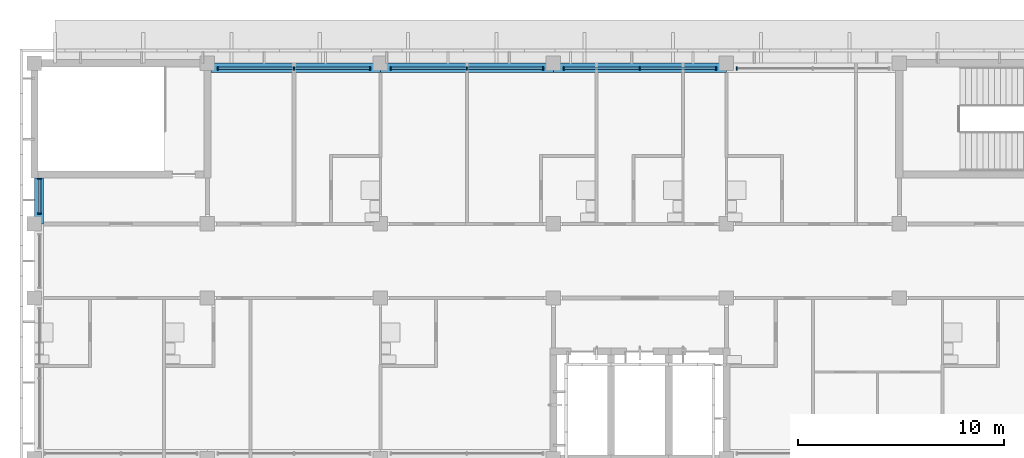
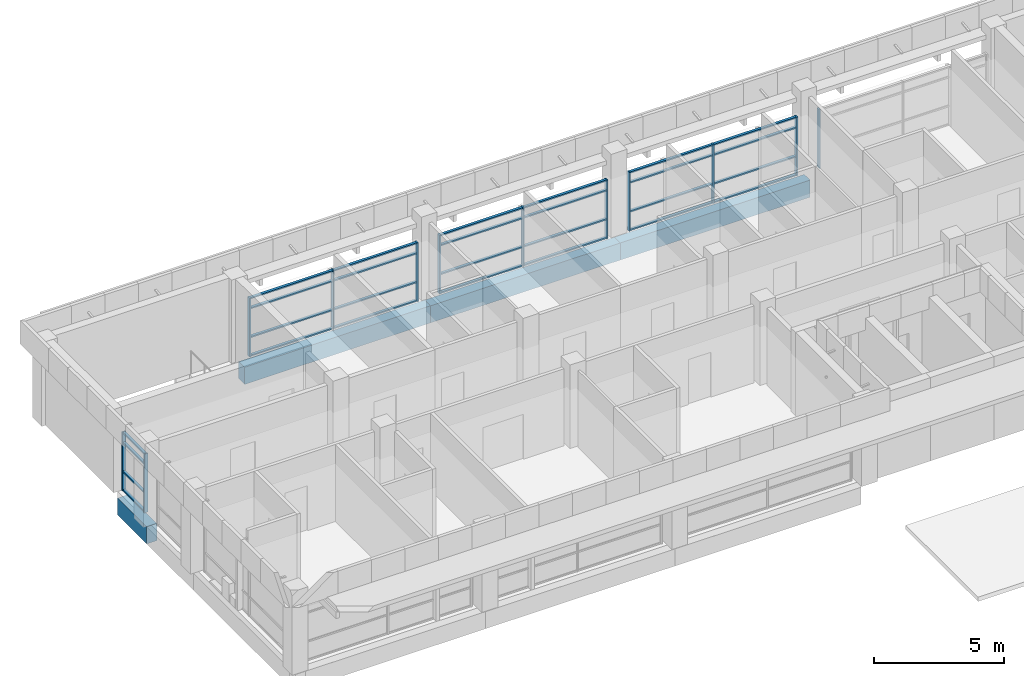
# One storey, part 4 of 36: 40 members, 4 beams, 5 elements without a shape of their own.
"""IFC4 building model written with IfcOpenShell, lengths in metres."""

from ifc_helpers import new_model, si_unit, direction, frame, origin, origin_2d, place, context, subcontext, project, spatial, rectangle, extrude, material, material_profile, profile_set, type_object, element, aggregate, save


model = new_model("IFC4")

# Units and contexts
model_context = context("Model", 3, precision=1e-05, world=origin(), true_north=direction((0.0, 1.0)))
body_context = subcontext(model_context, "Body", "Model", "MODEL_VIEW")
ifc_project = project(units=[si_unit("LENGTHUNIT", "METRE"), si_unit("AREAUNIT", "SQUARE_METRE"), si_unit("VOLUMEUNIT", "CUBIC_METRE"), si_unit("PLANEANGLEUNIT", "RADIAN"), si_unit("MASSUNIT", "GRAM", prefix="KILO")], contexts=[model_context])

# Site, building, storey
site_placement = place(None, origin())
site = spatial("IfcSite", under=ifc_project, at=site_placement, CompositionType="ELEMENT")
building_placement = place(site_placement, origin())
building = spatial("IfcBuilding", under=site, at=building_placement, Name="Bougainvillea Quay General Hospital", CompositionType="ELEMENT")
storey_placement = place(building_placement, frame((0.0, 0.0, 32.699951171875)))
storey = spatial("IfcBuildingStorey", under=building, at=storey_placement, Name="L07", CompositionType="ELEMENT", Elevation=32.699951171875)

# Curtain wall, member
ifc_material_1 = material(Name="Aluminium curtain wall system, powder-coated glazed", Category="aluminium")
curtain_wall_type_1 = type_object("IfcCurtainWallType", Name="Unitised curtain wall CW-3730", PredefinedType="NOTDEFINED", material=ifc_material_1)
curtain_wall_1_placement = place(storey_placement, origin())
curtain_wall_1 = element("IfcCurtainWall", 1, at=curtain_wall_1_placement, inside=storey, type_object=curtain_wall_type_1, Name="CW-4200 08", PredefinedType="NOTDEFINED")
ifc_material_2 = material(Name="Aluminium mullion, powder-coated charcoal", Category="aluminium")
ifc_material_profile_1 = material_profile(ifc_material_2, rectangle(XDim=0.159912109375, YDim=0.06005859375, at=origin_2d()))
ifc_profile_set_1 = profile_set([ifc_material_profile_1], Name="Aluminium mullion, powder-coated charcoal")
member_type_1 = type_object("IfcMemberType", Name="Curtain wall mullion 160x60", PredefinedType="MULLION", material=ifc_profile_set_1)
member_1_placement = place(storey_placement, frame((76.10009765625, 159.35009765625, 0.0), z_axis=(0.0, 0.0, 1.0), x_axis=(0.0, -1.0, 0.0)))
member_1 = element("IfcMember", 2, at=member_1_placement, type_object=member_type_1, Name="CW-4200 mullion 3", PredefinedType="MULLION", context=body_context, shape_type="SweptSolid", body=[
    extrude(rectangle(XDim=0.159912109375, YDim=0.06005859375, at=origin_2d()), origin(), (0.0, 0.0, 1.0), 2.75),
])
aggregate(curtain_wall_1, [member_1])

# Curtain wall, members
curtain_wall_2_placement = place(storey_placement, origin())
curtain_wall_2 = element("IfcCurtainWall", 3, at=curtain_wall_2_placement, inside=storey, type_object=curtain_wall_type_1, Name="CW-4200 09", PredefinedType="NOTDEFINED")
member_2_placement = place(storey_placement, frame((75.10009765625, 159.35009765625, 0.0), z_axis=(0.0, 0.0, 1.0), x_axis=(0.0, -1.0, 0.0)))
member_2 = element("IfcMember", 4, at=member_2_placement, type_object=member_type_1, Name="CW-4200 mullion 1", PredefinedType="MULLION", context=body_context, shape_type="SweptSolid", body=[
    extrude(rectangle(XDim=0.159912109375, YDim=0.06005859375, at=origin_2d()), origin(), (0.0, 0.0, 1.0), 2.75),
])
member_3_placement = place(storey_placement, frame((71.39990234375, 159.35009765625, 0.0), z_axis=(0.0, 0.0, 1.0), x_axis=(0.0, -1.0, 0.0)))
member_3 = element("IfcMember", 5, at=member_3_placement, type_object=member_type_1, Name="CW-4200 mullion 2", PredefinedType="MULLION", context=body_context, shape_type="SweptSolid", body=[
    extrude(rectangle(XDim=0.159912109375, YDim=0.06005859375, at=origin_2d()), origin(), (0.0, 0.0, 1.0), 2.75),
])
member_4_placement = place(storey_placement, frame((67.699951171875, 159.35009765625, 0.0), z_axis=(0.0, 0.0, 1.0), x_axis=(0.0, -1.0, 0.0)))
member_4 = element("IfcMember", 6, at=member_4_placement, type_object=member_type_1, Name="CW-4200 mullion 3", PredefinedType="MULLION", context=body_context, shape_type="SweptSolid", body=[
    extrude(rectangle(XDim=0.159912109375, YDim=0.06005859375, at=origin_2d()), origin(), (0.0, 0.0, 1.0), 2.75),
])

curtain_wall_3_placement = place(storey_placement, origin())
curtain_wall_3 = element("IfcCurtainWall", 7, at=curtain_wall_3_placement, inside=storey, type_object=curtain_wall_type_1, Name="CW-4200 10", PredefinedType="NOTDEFINED")
member_5_placement = place(storey_placement, frame((66.699951171875, 159.35009765625, 0.0), z_axis=(0.0, 0.0, 1.0), x_axis=(0.0, -1.0, 0.0)))
member_5 = element("IfcMember", 8, at=member_5_placement, type_object=member_type_1, Name="CW-4200 mullion 1", PredefinedType="MULLION", context=body_context, shape_type="SweptSolid", body=[
    extrude(rectangle(XDim=0.159912109375, YDim=0.06005859375, at=origin_2d()), origin(), (0.0, 0.0, 1.0), 2.75),
])
member_6_placement = place(storey_placement, frame((63.0, 159.35009765625, 0.0), z_axis=(0.0, 0.0, 1.0), x_axis=(0.0, -1.0, 0.0)))
member_6 = element("IfcMember", 9, at=member_6_placement, type_object=member_type_1, Name="CW-4200 mullion 2", PredefinedType="MULLION", context=body_context, shape_type="SweptSolid", body=[
    extrude(rectangle(XDim=0.159912109375, YDim=0.06005859375, at=origin_2d()), origin(), (0.0, 0.0, 1.0), 2.75),
])
member_7_placement = place(storey_placement, frame((59.300048828125, 159.35009765625, 0.0), z_axis=(0.0, 0.0, 1.0), x_axis=(0.0, -1.0, 0.0)))
member_7 = element("IfcMember", 10, at=member_7_placement, type_object=member_type_1, Name="CW-4200 mullion 3", PredefinedType="MULLION", context=body_context, shape_type="SweptSolid", body=[
    extrude(rectangle(XDim=0.159912109375, YDim=0.06005859375, at=origin_2d()), origin(), (0.0, 0.0, 1.0), 2.75),
])

curtain_wall_4_placement = place(storey_placement, origin())
curtain_wall_4 = element("IfcCurtainWall", 11, at=curtain_wall_4_placement, inside=storey, type_object=curtain_wall_type_1, Name="CW-4200 11", PredefinedType="NOTDEFINED")
member_8_placement = place(storey_placement, frame((58.300048828125, 159.35009765625, 0.0), z_axis=(0.0, 0.0, 1.0), x_axis=(0.0, -1.0, 0.0)))
member_8 = element("IfcMember", 12, at=member_8_placement, type_object=member_type_1, Name="CW-4200 mullion 1", PredefinedType="MULLION", context=body_context, shape_type="SweptSolid", body=[
    extrude(rectangle(XDim=0.159912109375, YDim=0.06005859375, at=origin_2d()), origin(), (0.0, 0.0, 1.0), 2.75),
])
member_9_placement = place(storey_placement, frame((54.60009765625, 159.35009765625, 0.0), z_axis=(0.0, 0.0, 1.0), x_axis=(0.0, -1.0, 0.0)))
member_9 = element("IfcMember", 13, at=member_9_placement, type_object=member_type_1, Name="CW-4200 mullion 2", PredefinedType="MULLION", context=body_context, shape_type="SweptSolid", body=[
    extrude(rectangle(XDim=0.159912109375, YDim=0.06005859375, at=origin_2d()), origin(), (0.0, 0.0, 1.0), 2.75),
])
member_10_placement = place(storey_placement, frame((50.89990234375, 159.35009765625, 0.0), z_axis=(0.0, 0.0, 1.0), x_axis=(0.0, -1.0, 0.0)))
member_10 = element("IfcMember", 14, at=member_10_placement, type_object=member_type_1, Name="CW-4200 mullion 3", PredefinedType="MULLION", context=body_context, shape_type="SweptSolid", body=[
    extrude(rectangle(XDim=0.159912109375, YDim=0.06005859375, at=origin_2d()), origin(), (0.0, 0.0, 1.0), 2.75),
])

curtain_wall_type_2 = type_object("IfcCurtainWallType", Name="Unitised curtain wall CW-1755", PredefinedType="NOTDEFINED", material=ifc_material_1)
curtain_wall_5_placement = place(storey_placement, origin())
curtain_wall_5 = element("IfcCurtainWall", 15, at=curtain_wall_5_placement, inside=storey, type_object=curtain_wall_type_2, Name="CW-4200 00", PredefinedType="NOTDEFINED")
member_11_placement = place(storey_placement, frame((42.25, 153.9951171875, 0.0), z_axis=(0.0, 0.0, 1.0), x_axis=(1.0, 0.0, 0.0)))
member_11 = element("IfcMember", 16, at=member_11_placement, type_object=member_type_1, Name="CW-4200 mullion 1", PredefinedType="MULLION", context=body_context, shape_type="SweptSolid", body=[
    extrude(rectangle(XDim=0.159912109375, YDim=0.06005859375, at=origin_2d()), origin(), (0.0, 0.0, 1.0), 2.75),
])
member_12_placement = place(storey_placement, frame((42.25, 152.300048828125, 0.0), z_axis=(0.0, 0.0, 1.0), x_axis=(1.0, 0.0, 0.0)))
member_12 = element("IfcMember", 17, at=member_12_placement, type_object=member_type_1, Name="CW-4200 mullion 2", PredefinedType="MULLION", context=body_context, shape_type="SweptSolid", body=[
    extrude(rectangle(XDim=0.159912109375, YDim=0.06005859375, at=origin_2d()), origin(), (0.0, 0.0, 1.0), 2.75),
])

# Member
ifc_material_3 = material(Name="Aluminium transom, powder-coated charcoal", Category="aluminium")
ifc_material_profile_2 = material_profile(ifc_material_3, rectangle(XDim=0.1201171875, YDim=0.06005859375, at=origin_2d()))
ifc_profile_set_2 = profile_set([ifc_material_profile_2], Name="Aluminium transom, powder-coated charcoal")
member_type_2 = type_object("IfcMemberType", Name="Curtain wall transom 120x60", PredefinedType="USERDEFINED", material=ifc_profile_set_2)
member_13_placement = place(storey_placement, frame((75.070068359375, 159.35009765625, 0.030029296875), z_axis=(-1.0, 0.0, 0.0), x_axis=(0.0, -1.0, 0.0)))
member_13 = element("IfcMember", 18, at=member_13_placement, type_object=member_type_2, Name="CW-4200 transom 1.1", ObjectType="TRANSOM", PredefinedType="USERDEFINED", context=body_context, shape_type="SweptSolid", body=[
    extrude(rectangle(XDim=0.1201171875, YDim=0.06005859375, at=origin_2d()), origin(), (0.0, 0.0, 1.0), 3.64013671875),
])

member_14_placement = place(storey_placement, frame((75.070068359375, 159.35009765625, 0.900146484375), z_axis=(-1.0, 0.0, 0.0), x_axis=(0.0, -1.0, 0.0)))
member_14 = element("IfcMember", 19, at=member_14_placement, type_object=member_type_2, Name="CW-4200 transom 1.2", ObjectType="TRANSOM", PredefinedType="USERDEFINED", context=body_context, shape_type="SweptSolid", body=[
    extrude(rectangle(XDim=0.1201171875, YDim=0.06005859375, at=origin_2d()), origin(), (0.0, 0.0, 1.0), 3.64013671875),
])

member_15_placement = place(storey_placement, frame((75.070068359375, 159.35009765625, 2.25), z_axis=(-1.0, 0.0, 0.0), x_axis=(0.0, -1.0, 0.0)))
member_15 = element("IfcMember", 20, at=member_15_placement, type_object=member_type_2, Name="CW-4200 transom 1.3", ObjectType="TRANSOM", PredefinedType="USERDEFINED", context=body_context, shape_type="SweptSolid", body=[
    extrude(rectangle(XDim=0.1201171875, YDim=0.06005859375, at=origin_2d()), origin(), (0.0, 0.0, 1.0), 3.64013671875),
])

member_16_placement = place(storey_placement, frame((75.070068359375, 159.35009765625, 2.719970703125), z_axis=(-1.0, 0.0, 0.0), x_axis=(0.0, -1.0, 0.0)))
member_16 = element("IfcMember", 21, at=member_16_placement, type_object=member_type_2, Name="CW-4200 transom 1.4", ObjectType="TRANSOM", PredefinedType="USERDEFINED", context=body_context, shape_type="SweptSolid", body=[
    extrude(rectangle(XDim=0.1201171875, YDim=0.06005859375, at=origin_2d()), origin(), (0.0, 0.0, 1.0), 3.64013671875),
])

member_17_placement = place(storey_placement, frame((71.3701171875, 159.35009765625, 0.030029296875), z_axis=(-1.0, 0.0, 0.0), x_axis=(0.0, -1.0, 0.0)))
member_17 = element("IfcMember", 22, at=member_17_placement, type_object=member_type_2, Name="CW-4200 transom 2.1", ObjectType="TRANSOM", PredefinedType="USERDEFINED", context=body_context, shape_type="SweptSolid", body=[
    extrude(rectangle(XDim=0.1201171875, YDim=0.06005859375, at=origin_2d()), origin(), (0.0, 0.0, 1.0), 3.64013671875),
])

member_18_placement = place(storey_placement, frame((71.3701171875, 159.35009765625, 0.900146484375), z_axis=(-1.0, 0.0, 0.0), x_axis=(0.0, -1.0, 0.0)))
member_18 = element("IfcMember", 23, at=member_18_placement, type_object=member_type_2, Name="CW-4200 transom 2.2", ObjectType="TRANSOM", PredefinedType="USERDEFINED", context=body_context, shape_type="SweptSolid", body=[
    extrude(rectangle(XDim=0.1201171875, YDim=0.06005859375, at=origin_2d()), origin(), (0.0, 0.0, 1.0), 3.64013671875),
])

member_19_placement = place(storey_placement, frame((71.3701171875, 159.35009765625, 2.25), z_axis=(-1.0, 0.0, 0.0), x_axis=(0.0, -1.0, 0.0)))
member_19 = element("IfcMember", 24, at=member_19_placement, type_object=member_type_2, Name="CW-4200 transom 2.3", ObjectType="TRANSOM", PredefinedType="USERDEFINED", context=body_context, shape_type="SweptSolid", body=[
    extrude(rectangle(XDim=0.1201171875, YDim=0.06005859375, at=origin_2d()), origin(), (0.0, 0.0, 1.0), 3.64013671875),
])

member_20_placement = place(storey_placement, frame((71.3701171875, 159.35009765625, 2.719970703125), z_axis=(-1.0, 0.0, 0.0), x_axis=(0.0, -1.0, 0.0)))
member_20 = element("IfcMember", 25, at=member_20_placement, type_object=member_type_2, Name="CW-4200 transom 2.4", ObjectType="TRANSOM", PredefinedType="USERDEFINED", context=body_context, shape_type="SweptSolid", body=[
    extrude(rectangle(XDim=0.1201171875, YDim=0.06005859375, at=origin_2d()), origin(), (0.0, 0.0, 1.0), 3.64013671875),
])

aggregate(curtain_wall_2, [member_2, member_3, member_4, member_13, member_14, member_15, member_16, member_17, member_18, member_19, member_20])

member_21_placement = place(storey_placement, frame((66.669921875, 159.35009765625, 0.030029296875), z_axis=(-1.0, 0.0, 0.0), x_axis=(0.0, -1.0, 0.0)))
member_21 = element("IfcMember", 26, at=member_21_placement, type_object=member_type_2, Name="CW-4200 transom 1.1", ObjectType="TRANSOM", PredefinedType="USERDEFINED", context=body_context, shape_type="SweptSolid", body=[
    extrude(rectangle(XDim=0.1201171875, YDim=0.06005859375, at=origin_2d()), origin(), (0.0, 0.0, 1.0), 3.639892578125),
])

member_22_placement = place(storey_placement, frame((66.669921875, 159.35009765625, 0.900146484375), z_axis=(-1.0, 0.0, 0.0), x_axis=(0.0, -1.0, 0.0)))
member_22 = element("IfcMember", 27, at=member_22_placement, type_object=member_type_2, Name="CW-4200 transom 1.2", ObjectType="TRANSOM", PredefinedType="USERDEFINED", context=body_context, shape_type="SweptSolid", body=[
    extrude(rectangle(XDim=0.1201171875, YDim=0.06005859375, at=origin_2d()), origin(), (0.0, 0.0, 1.0), 3.639892578125),
])

member_23_placement = place(storey_placement, frame((66.669921875, 159.35009765625, 2.25), z_axis=(-1.0, 0.0, 0.0), x_axis=(0.0, -1.0, 0.0)))
member_23 = element("IfcMember", 28, at=member_23_placement, type_object=member_type_2, Name="CW-4200 transom 1.3", ObjectType="TRANSOM", PredefinedType="USERDEFINED", context=body_context, shape_type="SweptSolid", body=[
    extrude(rectangle(XDim=0.1201171875, YDim=0.06005859375, at=origin_2d()), origin(), (0.0, 0.0, 1.0), 3.639892578125),
])

member_24_placement = place(storey_placement, frame((66.669921875, 159.35009765625, 2.719970703125), z_axis=(-1.0, 0.0, 0.0), x_axis=(0.0, -1.0, 0.0)))
member_24 = element("IfcMember", 29, at=member_24_placement, type_object=member_type_2, Name="CW-4200 transom 1.4", ObjectType="TRANSOM", PredefinedType="USERDEFINED", context=body_context, shape_type="SweptSolid", body=[
    extrude(rectangle(XDim=0.1201171875, YDim=0.06005859375, at=origin_2d()), origin(), (0.0, 0.0, 1.0), 3.639892578125),
])

member_25_placement = place(storey_placement, frame((62.969970703125, 159.35009765625, 0.030029296875), z_axis=(-1.0, 0.0, 0.0), x_axis=(0.0, -1.0, 0.0)))
member_25 = element("IfcMember", 30, at=member_25_placement, type_object=member_type_2, Name="CW-4200 transom 2.1", ObjectType="TRANSOM", PredefinedType="USERDEFINED", context=body_context, shape_type="SweptSolid", body=[
    extrude(rectangle(XDim=0.1201171875, YDim=0.06005859375, at=origin_2d()), origin(), (0.0, 0.0, 1.0), 3.639892578125),
])

member_26_placement = place(storey_placement, frame((62.969970703125, 159.35009765625, 0.900146484375), z_axis=(-1.0, 0.0, 0.0), x_axis=(0.0, -1.0, 0.0)))
member_26 = element("IfcMember", 31, at=member_26_placement, type_object=member_type_2, Name="CW-4200 transom 2.2", ObjectType="TRANSOM", PredefinedType="USERDEFINED", context=body_context, shape_type="SweptSolid", body=[
    extrude(rectangle(XDim=0.1201171875, YDim=0.06005859375, at=origin_2d()), origin(), (0.0, 0.0, 1.0), 3.639892578125),
])

member_27_placement = place(storey_placement, frame((62.969970703125, 159.35009765625, 2.25), z_axis=(-1.0, 0.0, 0.0), x_axis=(0.0, -1.0, 0.0)))
member_27 = element("IfcMember", 32, at=member_27_placement, type_object=member_type_2, Name="CW-4200 transom 2.3", ObjectType="TRANSOM", PredefinedType="USERDEFINED", context=body_context, shape_type="SweptSolid", body=[
    extrude(rectangle(XDim=0.1201171875, YDim=0.06005859375, at=origin_2d()), origin(), (0.0, 0.0, 1.0), 3.639892578125),
])

member_28_placement = place(storey_placement, frame((62.969970703125, 159.35009765625, 2.719970703125), z_axis=(-1.0, 0.0, 0.0), x_axis=(0.0, -1.0, 0.0)))
member_28 = element("IfcMember", 33, at=member_28_placement, type_object=member_type_2, Name="CW-4200 transom 2.4", ObjectType="TRANSOM", PredefinedType="USERDEFINED", context=body_context, shape_type="SweptSolid", body=[
    extrude(rectangle(XDim=0.1201171875, YDim=0.06005859375, at=origin_2d()), origin(), (0.0, 0.0, 1.0), 3.639892578125),
])

aggregate(curtain_wall_3, [member_5, member_6, member_7, member_21, member_22, member_23, member_24, member_25, member_26, member_27, member_28])

member_29_placement = place(storey_placement, frame((58.27001953125, 159.35009765625, 0.030029296875), z_axis=(-1.0, 0.0, 0.0), x_axis=(0.0, -1.0, 0.0)))
member_29 = element("IfcMember", 34, at=member_29_placement, type_object=member_type_2, Name="CW-4200 transom 1.1", ObjectType="TRANSOM", PredefinedType="USERDEFINED", context=body_context, shape_type="SweptSolid", body=[
    extrude(rectangle(XDim=0.1201171875, YDim=0.06005859375, at=origin_2d()), origin(), (0.0, 0.0, 1.0), 3.64013671875),
])

member_30_placement = place(storey_placement, frame((58.27001953125, 159.35009765625, 0.900146484375), z_axis=(-1.0, 0.0, 0.0), x_axis=(0.0, -1.0, 0.0)))
member_30 = element("IfcMember", 35, at=member_30_placement, type_object=member_type_2, Name="CW-4200 transom 1.2", ObjectType="TRANSOM", PredefinedType="USERDEFINED", context=body_context, shape_type="SweptSolid", body=[
    extrude(rectangle(XDim=0.1201171875, YDim=0.06005859375, at=origin_2d()), origin(), (0.0, 0.0, 1.0), 3.64013671875),
])

member_31_placement = place(storey_placement, frame((58.27001953125, 159.35009765625, 2.25), z_axis=(-1.0, 0.0, 0.0), x_axis=(0.0, -1.0, 0.0)))
member_31 = element("IfcMember", 36, at=member_31_placement, type_object=member_type_2, Name="CW-4200 transom 1.3", ObjectType="TRANSOM", PredefinedType="USERDEFINED", context=body_context, shape_type="SweptSolid", body=[
    extrude(rectangle(XDim=0.1201171875, YDim=0.06005859375, at=origin_2d()), origin(), (0.0, 0.0, 1.0), 3.64013671875),
])

member_32_placement = place(storey_placement, frame((58.27001953125, 159.35009765625, 2.719970703125), z_axis=(-1.0, 0.0, 0.0), x_axis=(0.0, -1.0, 0.0)))
member_32 = element("IfcMember", 37, at=member_32_placement, type_object=member_type_2, Name="CW-4200 transom 1.4", ObjectType="TRANSOM", PredefinedType="USERDEFINED", context=body_context, shape_type="SweptSolid", body=[
    extrude(rectangle(XDim=0.1201171875, YDim=0.06005859375, at=origin_2d()), origin(), (0.0, 0.0, 1.0), 3.64013671875),
])

member_33_placement = place(storey_placement, frame((54.570068359375, 159.35009765625, 0.030029296875), z_axis=(-1.0, 0.0, 0.0), x_axis=(0.0, -1.0, 0.0)))
member_33 = element("IfcMember", 38, at=member_33_placement, type_object=member_type_2, Name="CW-4200 transom 2.1", ObjectType="TRANSOM", PredefinedType="USERDEFINED", context=body_context, shape_type="SweptSolid", body=[
    extrude(rectangle(XDim=0.1201171875, YDim=0.06005859375, at=origin_2d()), origin(), (0.0, 0.0, 1.0), 3.64013671875),
])

member_34_placement = place(storey_placement, frame((54.570068359375, 159.35009765625, 0.900146484375), z_axis=(-1.0, 0.0, 0.0), x_axis=(0.0, -1.0, 0.0)))
member_34 = element("IfcMember", 39, at=member_34_placement, type_object=member_type_2, Name="CW-4200 transom 2.2", ObjectType="TRANSOM", PredefinedType="USERDEFINED", context=body_context, shape_type="SweptSolid", body=[
    extrude(rectangle(XDim=0.1201171875, YDim=0.06005859375, at=origin_2d()), origin(), (0.0, 0.0, 1.0), 3.64013671875),
])

member_35_placement = place(storey_placement, frame((54.570068359375, 159.35009765625, 2.25), z_axis=(-1.0, 0.0, 0.0), x_axis=(0.0, -1.0, 0.0)))
member_35 = element("IfcMember", 40, at=member_35_placement, type_object=member_type_2, Name="CW-4200 transom 2.3", ObjectType="TRANSOM", PredefinedType="USERDEFINED", context=body_context, shape_type="SweptSolid", body=[
    extrude(rectangle(XDim=0.1201171875, YDim=0.06005859375, at=origin_2d()), origin(), (0.0, 0.0, 1.0), 3.64013671875),
])

member_36_placement = place(storey_placement, frame((54.570068359375, 159.35009765625, 2.719970703125), z_axis=(-1.0, 0.0, 0.0), x_axis=(0.0, -1.0, 0.0)))
member_36 = element("IfcMember", 41, at=member_36_placement, type_object=member_type_2, Name="CW-4200 transom 2.4", ObjectType="TRANSOM", PredefinedType="USERDEFINED", context=body_context, shape_type="SweptSolid", body=[
    extrude(rectangle(XDim=0.1201171875, YDim=0.06005859375, at=origin_2d()), origin(), (0.0, 0.0, 1.0), 3.64013671875),
])

aggregate(curtain_wall_4, [member_8, member_9, member_10, member_29, member_30, member_31, member_32, member_33, member_34, member_35, member_36])

member_37_placement = place(storey_placement, frame((42.25, 153.965087890625, 0.030029296875), z_axis=(0.0, -1.0, 0.0), x_axis=(1.0, 0.0, 0.0)))
member_37 = element("IfcMember", 42, at=member_37_placement, type_object=member_type_2, Name="CW-4200 transom 1.1", ObjectType="TRANSOM", PredefinedType="USERDEFINED", context=body_context, shape_type="SweptSolid", body=[
    extrude(rectangle(XDim=0.1201171875, YDim=0.06005859375, at=origin_2d()), origin(), (0.0, 0.0, 1.0), 1.635009765625),
])

member_38_placement = place(storey_placement, frame((42.25, 153.965087890625, 0.900146484375), z_axis=(0.0, -1.0, 0.0), x_axis=(1.0, 0.0, 0.0)))
member_38 = element("IfcMember", 43, at=member_38_placement, type_object=member_type_2, Name="CW-4200 transom 1.2", ObjectType="TRANSOM", PredefinedType="USERDEFINED", context=body_context, shape_type="SweptSolid", body=[
    extrude(rectangle(XDim=0.1201171875, YDim=0.06005859375, at=origin_2d()), origin(), (0.0, 0.0, 1.0), 1.635009765625),
])

member_39_placement = place(storey_placement, frame((42.25, 153.965087890625, 2.25), z_axis=(0.0, -1.0, 0.0), x_axis=(1.0, 0.0, 0.0)))
member_39 = element("IfcMember", 44, at=member_39_placement, type_object=member_type_2, Name="CW-4200 transom 1.3", ObjectType="TRANSOM", PredefinedType="USERDEFINED", context=body_context, shape_type="SweptSolid", body=[
    extrude(rectangle(XDim=0.1201171875, YDim=0.06005859375, at=origin_2d()), origin(), (0.0, 0.0, 1.0), 1.635009765625),
])

member_40_placement = place(storey_placement, frame((42.25, 153.965087890625, 2.719970703125), z_axis=(0.0, -1.0, 0.0), x_axis=(1.0, 0.0, 0.0)))
member_40 = element("IfcMember", 45, at=member_40_placement, type_object=member_type_2, Name="CW-4200 transom 1.4", ObjectType="TRANSOM", PredefinedType="USERDEFINED", context=body_context, shape_type="SweptSolid", body=[
    extrude(rectangle(XDim=0.1201171875, YDim=0.06005859375, at=origin_2d()), origin(), (0.0, 0.0, 1.0), 1.635009765625),
])

aggregate(curtain_wall_5, [member_11, member_12, member_37, member_38, member_39, member_40])

# Beams
ifc_material_4 = material(Name="Concrete C40", Category="concrete")
ifc_material_profile_3 = material_profile(ifc_material_4, rectangle(XDim=0.449951171875, YDim=0.800048828125, at=origin_2d()))
ifc_profile_set_3 = profile_set([ifc_material_profile_3], Name="Concrete C40")
beam_type = type_object("IfcBeamType", Name="RC BEAM 450x800 C40", PredefinedType="BEAM", material=ifc_profile_set_3)
beam_1_placement = place(storey_placement, frame((75.60009765625, 159.375, -0.699951171875), z_axis=(-1.0, 0.0, 0.0), x_axis=(0.0, -1.0, 0.0)))
element("IfcBeam", 46, at=beam_1_placement, inside=storey, type_object=beam_type, Name="Edge beam L07", PredefinedType="BEAM", context=body_context, shape_type="SweptSolid", body=[
    extrude(rectangle(XDim=0.449951171875, YDim=0.800048828125, at=origin_2d()), origin(), (0.0, 0.0, 1.0), 8.400146484375),
])
beam_2_placement = place(storey_placement, frame((67.199951171875, 159.375, -0.699951171875), z_axis=(-1.0, 0.0, 0.0), x_axis=(0.0, -1.0, 0.0)))
element("IfcBeam", 47, at=beam_2_placement, inside=storey, type_object=beam_type, Name="Edge beam L07", PredefinedType="BEAM", context=body_context, shape_type="SweptSolid", body=[
    extrude(rectangle(XDim=0.449951171875, YDim=0.800048828125, at=origin_2d()), origin(), (0.0, 0.0, 1.0), 8.39990234375),
])
beam_3_placement = place(storey_placement, frame((58.800048828125, 159.375, -0.699951171875), z_axis=(-1.0, 0.0, 0.0), x_axis=(0.0, -1.0, 0.0)))
element("IfcBeam", 48, at=beam_3_placement, inside=storey, type_object=beam_type, Name="Edge beam L07", PredefinedType="BEAM", context=body_context, shape_type="SweptSolid", body=[
    extrude(rectangle(XDim=0.449951171875, YDim=0.800048828125, at=origin_2d()), origin(), (0.0, 0.0, 1.0), 8.22509765625),
])
beam_4_placement = place(storey_placement, frame((42.22509765625, 154.02490234375, -0.699951171875), z_axis=(0.0, -1.0, 0.0), x_axis=(1.0, 0.0, 0.0)))
element("IfcBeam", 49, at=beam_4_placement, inside=storey, type_object=beam_type, Name="Edge beam L07", PredefinedType="BEAM", context=body_context, shape_type="SweptSolid", body=[
    extrude(rectangle(XDim=0.449951171875, YDim=0.800048828125, at=origin_2d()), origin(), (0.0, 0.0, 1.0), 2.224853515625),
])

save(model, "model.ifc")
